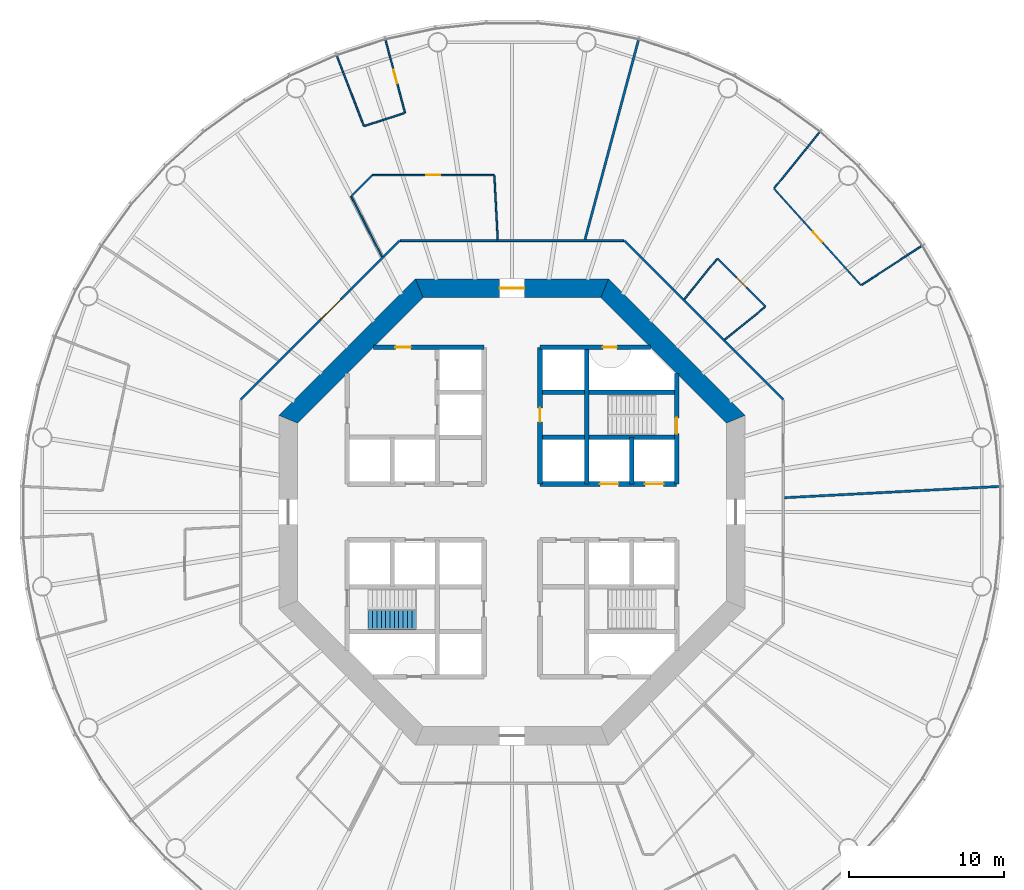
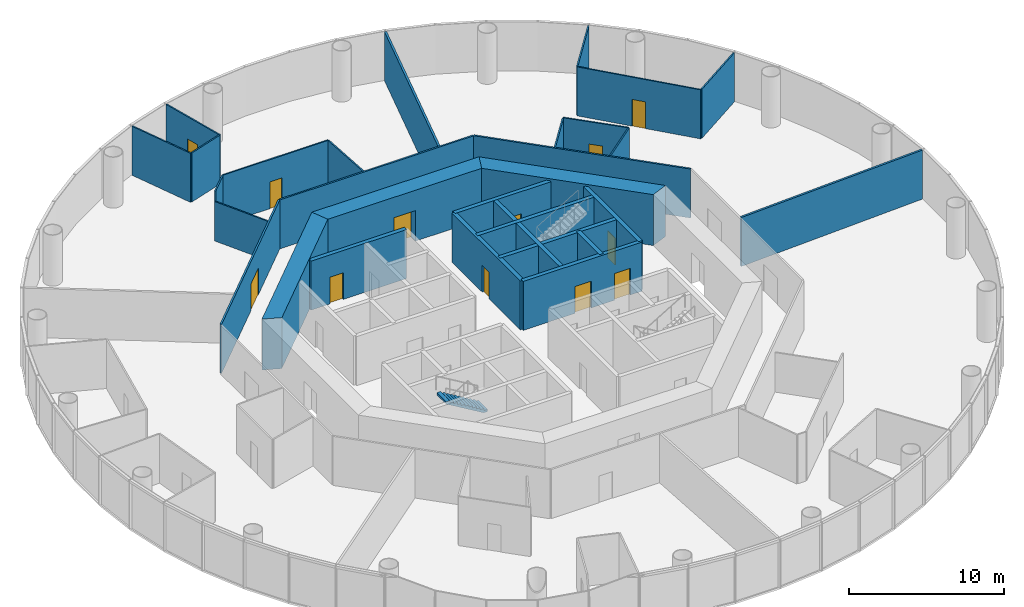
# One storey, part 5 of 13: 30 walls, 12 doors, 1 stair flight, 12 openings, 1 element without a shape of its own.
"""IFC4 building model written with IfcOpenShell, lengths in metres."""

from ifc_helpers import new_model, si_unit, direction, frame, frame_2d, origin, place, context, subcontext, project, spatial, polyline, rectangle, outline, extrude, material, layer, layer_set, type_object, element, fill, aggregate, save


model = new_model("IFC4")

# Units and contexts
model_context = context("Model", 3, precision=1e-05, world=origin(), true_north=direction((0.0, 1.0)))
body_context = subcontext(model_context, "Body", "Model", "MODEL_VIEW")
ifc_project = project(units=[si_unit("LENGTHUNIT", "METRE"), si_unit("AREAUNIT", "SQUARE_METRE"), si_unit("VOLUMEUNIT", "CUBIC_METRE"), si_unit("PLANEANGLEUNIT", "RADIAN"), si_unit("MASSUNIT", "GRAM", prefix="KILO")], contexts=[model_context])

# Site, building, storey
site_placement = place(None, origin())
site = spatial("IfcSite", under=ifc_project, at=site_placement, CompositionType="ELEMENT")
building_placement = place(site_placement, origin())
building = spatial("IfcBuilding", under=site, at=building_placement, Name="Entoto Ring Tower", CompositionType="ELEMENT")
storey_placement = place(building_placement, frame((0.0, 0.0, 100.0)))
storey = spatial("IfcBuildingStorey", under=building, at=storey_placement, Name="L22", CompositionType="ELEMENT", Elevation=100.0)

# Wall, opening, door
ifc_material_1 = material(Name="Concrete C40/50", Category="concrete")
ifc_layer_1 = layer(ifc_material_1, 0.300048828125)
ifc_layer_set_1 = layer_set([ifc_layer_1], Name="Concrete C40/50")
wall_type_1 = type_object("IfcWallType", Name="Core enclosure wall 300 mm reinforced concrete", PredefinedType="SOLIDWALL", material=ifc_layer_set_1)
wall_1_placement = place(storey_placement, frame((100.60009765625, 81.800048828125, 0.0), z_axis=(0.0, 0.0, 1.0), x_axis=(0.0, 1.0, 0.0)))
wall_1 = element("IfcWall", 1, at=wall_1_placement, inside=storey, type_object=wall_type_1, Name="wall-L22-002", PredefinedType="SOLIDWALL", context=body_context, shape_type="SweptSolid", body=[
    extrude(rectangle(XDim=7.115966796875, YDim=0.300048828125, at=frame_2d((3.55810546875, 0.0))), origin(), (0.0, 0.0, 1.0), 3.85009765625),
])
opening_1_placement = place(wall_1_placement, frame((3.25, 0.0, 0.0)))
opening_1 = element("IfcOpeningElement", 2, at=opening_1_placement, cuts=wall_1, Name="Opening K-55", PredefinedType="OPENING", context=body_context, shape_type="SweptSolid", body=[
    extrude(rectangle(XDim=1.0, YDim=2.10009765625, at=frame_2d((0.5, 1.050048828125))), frame((0.0, 0.16015625, 0.0), z_axis=(0.0, -1.0, 0.0), x_axis=(1.0, 0.0, 0.0)), (0.0, 0.0, 1.0), 0.320068359375),
])
ifc_material_2 = material(Name="Steel door leaf, fire rated", Category="steel")
ifc_layer_2 = layer(ifc_material_2, 0.050048828125)
ifc_layer_set_2 = layer_set([ifc_layer_2], Name="Steel door leaf, fire rated")
door_type_1 = type_object("IfcDoorType", Name="Fire door FD60 1000 x 2100 single leaf", OperationType="NOTDEFINED", PredefinedType="DOOR", material=ifc_layer_set_2)
door_1_placement = place(opening_1_placement, origin())
door_1 = element("IfcDoor", 3, at=door_1_placement, inside=storey, type_object=door_type_1, Name="Door K-55", OperationType="SINGLE_SWING_LEFT", OverallHeight=2.10009765625, OverallWidth=1.0, PredefinedType="DOOR", context=body_context, shape_type="SweptSolid", body=[
    extrude(rectangle(XDim=1.0, YDim=2.10009765625, at=frame_2d((0.5, 1.050048828125))), frame((0.0, 0.02490234375, 0.0), z_axis=(0.0, -1.0, 0.0), x_axis=(1.0, 0.0, 0.0)), (0.0, 0.0, 1.0), 0.050048828125),
])
fill(opening_1, door_1)

# Walls
wall_2_placement = place(storey_placement, frame((97.699951171875, 81.800048828125, 0.0), z_axis=(0.0, 0.0, 1.0), x_axis=(0.0, 1.0, 0.0)))
element("IfcWall", 4, at=wall_2_placement, inside=storey, type_object=wall_type_1, Name="wall-L22-004", PredefinedType="SOLIDWALL", context=body_context, shape_type="SweptSolid", body=[
    extrude(rectangle(XDim=3.0, YDim=0.300048828125, at=frame_2d((1.5, 0.0))), origin(), (0.0, 0.0, 1.0), 3.85009765625),
])
wall_3_placement = place(storey_placement, frame((94.800048828125, 81.800048828125, 0.0), z_axis=(0.0, 0.0, 1.0), x_axis=(0.0, 1.0, 0.0)))
element("IfcWall", 5, at=wall_3_placement, inside=storey, type_object=wall_type_1, Name="wall-L22-006", PredefinedType="SOLIDWALL", context=body_context, shape_type="SweptSolid", body=[
    extrude(rectangle(XDim=8.800048828125, YDim=0.300048828125, at=frame_2d((4.39990234375, 0.0))), origin(), (0.0, 0.0, 1.0), 3.85009765625),
])

# Wall, opening, door
wall_4_placement = place(storey_placement, frame((91.800048828125, 81.800048828125, 0.0), z_axis=(0.0, 0.0, 1.0), x_axis=(0.0, 1.0, 0.0)))
wall_4 = element("IfcWall", 6, at=wall_4_placement, inside=storey, type_object=wall_type_1, Name="wall-L22-008", PredefinedType="SOLIDWALL", context=body_context, shape_type="SweptSolid", body=[
    extrude(rectangle(XDim=8.800048828125, YDim=0.300048828125, at=frame_2d((4.39990234375, 0.0))), origin(), (0.0, 0.0, 1.0), 3.85009765625),
])
opening_2_placement = place(wall_4_placement, frame((4.0, 0.0, 0.0)))
opening_2 = element("IfcOpeningElement", 7, at=opening_2_placement, cuts=wall_4, Name="Opening K-11", PredefinedType="OPENING", context=body_context, shape_type="SweptSolid", body=[
    extrude(rectangle(XDim=0.89990234375, YDim=2.10009765625, at=frame_2d((0.449951171875, 1.050048828125))), frame((0.0, 0.16015625, 0.0), z_axis=(0.0, -1.0, 0.0), x_axis=(1.0, 0.0, 0.0)), (0.0, 0.0, 1.0), 0.320068359375),
])
ifc_material_3 = material(Name="Steel door leaf, fire rated", Category="steel")
ifc_layer_3 = layer(ifc_material_3, 0.050048828125)
ifc_layer_set_3 = layer_set([ifc_layer_3], Name="Steel door leaf, fire rated")
door_type_2 = type_object("IfcDoorType", Name="Core door 900 x 2100 single leaf", OperationType="NOTDEFINED", PredefinedType="DOOR", material=ifc_layer_set_3)
door_2_placement = place(opening_2_placement, origin())
door_2 = element("IfcDoor", 8, at=door_2_placement, inside=storey, type_object=door_type_2, Name="Door K-11", OperationType="SINGLE_SWING_RIGHT", OverallHeight=2.10009765625, OverallWidth=0.89990234375, PredefinedType="DOOR", context=body_context, shape_type="SweptSolid", body=[
    extrude(rectangle(XDim=0.89990234375, YDim=2.10009765625, at=frame_2d((0.449951171875, 1.050048828125))), frame((0.0, 0.02490234375, 0.0), z_axis=(0.0, -1.0, 0.0), x_axis=(1.0, 0.0, 0.0)), (0.0, 0.0, 1.0), 0.050048828125),
])
fill(opening_2, door_2)

# Wall, openings, doors
wall_5_placement = place(storey_placement, frame((91.800048828125, 81.800048828125, 0.0), z_axis=(0.0, 0.0, 1.0), x_axis=(1.0, 0.0, 0.0)))
wall_5 = element("IfcWall", 9, at=wall_5_placement, inside=storey, type_object=wall_type_1, Name="wall-L22-026", PredefinedType="SOLIDWALL", context=body_context, shape_type="SweptSolid", body=[
    extrude(rectangle(XDim=8.800048828125, YDim=0.300048828125, at=frame_2d((4.39990234375, 0.0))), origin(), (0.0, 0.0, 1.0), 3.85009765625),
])
opening_3_placement = place(wall_5_placement, frame((3.85009765625, 0.0, 0.0)))
opening_3 = element("IfcOpeningElement", 10, at=opening_3_placement, cuts=wall_5, Name="Opening LD", PredefinedType="OPENING", context=body_context, shape_type="SweptSolid", body=[
    extrude(rectangle(XDim=1.199951171875, YDim=2.10009765625, at=frame_2d((0.60009765625, 1.050048828125))), frame((0.0, 0.16015625, 0.0), z_axis=(0.0, -1.0, 0.0), x_axis=(1.0, 0.0, 0.0)), (0.0, 0.0, 1.0), 0.320068359375),
])
opening_4_placement = place(wall_5_placement, frame((6.75, 0.0, 0.0)))
opening_4 = element("IfcOpeningElement", 11, at=opening_4_placement, cuts=wall_5, Name="Opening LD", PredefinedType="OPENING", context=body_context, shape_type="SweptSolid", body=[
    extrude(rectangle(XDim=1.199951171875, YDim=2.10009765625, at=frame_2d((0.60009765625, 1.050048828125))), frame((0.0, 0.16015625, 0.0), z_axis=(0.0, -1.0, 0.0), x_axis=(1.0, 0.0, 0.0)), (0.0, 0.0, 1.0), 0.320068359375),
])
ifc_material_4 = material(Name="Steel and glass door leaf", Category="steel")
ifc_layer_4 = layer(ifc_material_4, 0.050048828125)
ifc_layer_set_4 = layer_set([ifc_layer_4], Name="Steel and glass door leaf")
door_type_3 = type_object("IfcDoorType", Name="Landing door 1200 x 2100 sliding", OperationType="DOUBLE_DOOR_SLIDING", PredefinedType="DOOR", material=ifc_layer_set_4)
door_3_placement = place(opening_3_placement, origin())
door_3 = element("IfcDoor", 12, at=door_3_placement, inside=storey, type_object=door_type_3, Name="Landing door LB1-LR", OperationType="SLIDING_TO_RIGHT", OverallHeight=2.10009765625, OverallWidth=1.199951171875, PredefinedType="DOOR", context=body_context, shape_type="SweptSolid", body=[
    extrude(rectangle(XDim=1.199951171875, YDim=2.10009765625, at=frame_2d((0.60009765625, 1.050048828125))), frame((0.0, 0.02490234375, 0.0), z_axis=(0.0, -1.0, 0.0), x_axis=(1.0, 0.0, 0.0)), (0.0, 0.0, 1.0), 0.050048828125),
])
fill(opening_3, door_3)
door_4_placement = place(opening_4_placement, origin())
door_4 = element("IfcDoor", 13, at=door_4_placement, inside=storey, type_object=door_type_3, Name="Landing door LB2-LR", OperationType="SLIDING_TO_RIGHT", OverallHeight=2.10009765625, OverallWidth=1.199951171875, PredefinedType="DOOR", context=body_context, shape_type="SweptSolid", body=[
    extrude(rectangle(XDim=1.199951171875, YDim=2.10009765625, at=frame_2d((0.60009765625, 1.050048828125))), frame((0.0, 0.02490234375, 0.0), z_axis=(0.0, -1.0, 0.0), x_axis=(1.0, 0.0, 0.0)), (0.0, 0.0, 1.0), 0.050048828125),
])
fill(opening_4, door_4)

# Walls
for number, where, z_axis, x_axis, name in (
    (14, (91.800048828125, 84.800048828125, 0.0), (0.0, 0.0, 1.0), (1.0, 0.0, 0.0), "wall-L22-028"),
    (15, (91.800048828125, 87.699951171875, 0.0), (0.0, 0.0, 1.0), (1.0, 0.0, 0.0), "wall-L22-030"),
):
    element("IfcWall", number, at=place(storey_placement, frame(where, z_axis=z_axis, x_axis=x_axis)), inside=storey, type_object=wall_type_1, Name=name, PredefinedType="SOLIDWALL", context=body_context, shape_type="SweptSolid", body=[
        extrude(rectangle(XDim=8.800048828125, YDim=0.300048828125, at=frame_2d((4.39990234375, 0.0))), origin(), (0.0, 0.0, 1.0), 3.85009765625),
    ])

# Wall, opening, door
wall_6_placement = place(storey_placement, frame((81.083984375, 90.60009765625, 0.0), z_axis=(0.0, 0.0, 1.0), x_axis=(1.0, 0.0, 0.0)))
wall_6 = element("IfcWall", 16, at=wall_6_placement, inside=storey, type_object=wall_type_1, Name="wall-L22-031", PredefinedType="SOLIDWALL", context=body_context, shape_type="SweptSolid", body=[
    extrude(rectangle(XDim=7.115966796875, YDim=0.300048828125, at=frame_2d((3.55810546875, 0.0))), origin(), (0.0, 0.0, 1.0), 3.85009765625),
])
opening_5_placement = place(wall_6_placement, frame((1.416015625, 0.0, 0.0)))
opening_5 = element("IfcOpeningElement", 17, at=opening_5_placement, cuts=wall_6, Name="Opening K-23", PredefinedType="OPENING", context=body_context, shape_type="SweptSolid", body=[
    extrude(rectangle(XDim=1.0, YDim=2.10009765625, at=frame_2d((0.5, 1.050048828125))), frame((0.0, 0.16015625, 0.0), z_axis=(0.0, -1.0, 0.0), x_axis=(1.0, 0.0, 0.0)), (0.0, 0.0, 1.0), 0.320068359375),
])
door_5_placement = place(opening_5_placement, frame((1.0, 0.0, 0.0), z_axis=(0.0, 0.0, 1.0), x_axis=(-1.0, 0.0, 0.0)))
door_5 = element("IfcDoor", 18, at=door_5_placement, inside=storey, type_object=door_type_1, Name="Door K-23", OperationType="SINGLE_SWING_RIGHT", OverallHeight=2.10009765625, OverallWidth=1.0, PredefinedType="DOOR", context=body_context, shape_type="SweptSolid", body=[
    extrude(rectangle(XDim=1.0, YDim=2.10009765625, at=frame_2d((0.5, 1.050048828125))), frame((0.0, 0.02490234375, 0.0), z_axis=(0.0, -1.0, 0.0), x_axis=(1.0, 0.0, 0.0)), (0.0, 0.0, 1.0), 0.050048828125),
])
fill(opening_5, door_5)

wall_7_placement = place(storey_placement, frame((91.800048828125, 90.60009765625, 0.0), z_axis=(0.0, 0.0, 1.0), x_axis=(1.0, 0.0, 0.0)))
wall_7 = element("IfcWall", 19, at=wall_7_placement, inside=storey, type_object=wall_type_1, Name="wall-L22-032", PredefinedType="SOLIDWALL", context=body_context, shape_type="SweptSolid", body=[
    extrude(rectangle(XDim=7.115966796875, YDim=0.300048828125, at=frame_2d((3.55810546875, 0.0))), origin(), (0.0, 0.0, 1.0), 3.85009765625),
])
opening_6_placement = place(wall_7_placement, frame((4.050048828125, 0.0, 0.0)))
opening_6 = element("IfcOpeningElement", 20, at=opening_6_placement, cuts=wall_7, Name="Opening K-62", PredefinedType="OPENING", context=body_context, shape_type="SweptSolid", body=[
    extrude(rectangle(XDim=0.89990234375, YDim=2.10009765625, at=frame_2d((0.449951171875, 1.050048828125))), frame((0.0, 0.16015625, 0.0), z_axis=(0.0, -1.0, 0.0), x_axis=(1.0, 0.0, 0.0)), (0.0, 0.0, 1.0), 0.320068359375),
])
ifc_material_5 = material(Name="Steel door leaf, fire rated", Category="steel")
ifc_layer_5 = layer(ifc_material_5, 0.050048828125)
ifc_layer_set_5 = layer_set([ifc_layer_5], Name="Steel door leaf, fire rated")
door_type_4 = type_object("IfcDoorType", Name="Riser door FD60 900 x 2100 single leaf", OperationType="NOTDEFINED", PredefinedType="DOOR", material=ifc_layer_set_5)
door_6_placement = place(opening_6_placement, frame((0.89990234375, 0.0, 0.0), z_axis=(0.0, 0.0, 1.0), x_axis=(-1.0, 0.0, 0.0)))
door_6 = element("IfcDoor", 21, at=door_6_placement, inside=storey, type_object=door_type_4, Name="Door K-62", OperationType="SINGLE_SWING_LEFT", OverallHeight=2.10009765625, OverallWidth=0.89990234375, PredefinedType="DOOR", context=body_context, shape_type="SweptSolid", body=[
    extrude(rectangle(XDim=0.89990234375, YDim=2.10009765625, at=frame_2d((0.449951171875, 1.050048828125))), frame((0.0, 0.02490234375, 0.0), z_axis=(0.0, -1.0, 0.0), x_axis=(1.0, 0.0, 0.0)), (0.0, 0.0, 1.0), 0.050048828125),
])
fill(opening_6, door_6)

# Wall
ifc_material_6 = material(Name="Concrete C60/75", Category="concrete")
ifc_layer_6 = layer(ifc_material_6, 1.199951171875)
ifc_layer_set_6 = layer_set([ifc_layer_6], Name="Concrete C60/75")
wall_type_2 = type_object("IfcWallType", Name="Core shear wall 1200 mm reinforced concrete C60/75", PredefinedType="SHEAR", material=ifc_layer_set_6)
wall_8_placement = place(storey_placement, frame((104.39990234375, 85.964599609375, 0.0), z_axis=(0.0, 0.0, 1.0), x_axis=(-0.707106781187, 0.707106781187, 0.0)))
element("IfcWall", 22, at=wall_8_placement, inside=storey, type_object=wall_type_2, Name="wall-L22-core-1", PredefinedType="SHEAR", context=body_context, shape_type="SweptSolid", body=[
    extrude(outline(polyline([(-0.24853515625, -0.60009765625), (12.177734375, -0.60009765625), (11.6806640625, 0.60009765625), (0.24853515625, 0.60009765625), (-0.24853515625, -0.60009765625)])), origin(), (0.0, 0.0, 1.0), 4.0),
])

# Wall, opening, door
wall_9_placement = place(storey_placement, frame((95.964599609375, 94.39990234375, 0.0), z_axis=(0.0, 0.0, 1.0), x_axis=(-1.0, 0.0, 0.0)))
wall_9 = element("IfcWall", 23, at=wall_9_placement, inside=storey, type_object=wall_type_2, Name="wall-L22-core-2", PredefinedType="SHEAR", context=body_context, shape_type="SweptSolid", body=[
    extrude(outline(polyline([(-0.24853515625, -0.60009765625), (12.177734375, -0.60009765625), (11.6806640625, 0.60009765625), (0.24853515625, 0.60009765625), (-0.24853515625, -0.60009765625)])), origin(), (0.0, 0.0, 1.0), 4.0),
])
opening_7_placement = place(wall_9_placement, frame((5.164794921875, 0.0, 0.0)))
opening_7 = element("IfcOpeningElement", 24, at=opening_7_placement, cuts=wall_9, Name="Opening K-02", PredefinedType="OPENING", context=body_context, shape_type="SweptSolid", body=[
    extrude(rectangle(XDim=1.60009765625, YDim=2.39990234375, at=frame_2d((0.800048828125, 1.199951171875))), frame((0.0, 0.60986328125, 0.0), z_axis=(0.0, -1.0, 0.0), x_axis=(1.0, 0.0, 0.0)), (0.0, 0.0, 1.0), 1.219970703125),
])
ifc_material_7 = material(Name="Steel door leaf, fire rated", Category="steel")
ifc_layer_7 = layer(ifc_material_7, 0.050048828125)
ifc_layer_set_7 = layer_set([ifc_layer_7], Name="Steel door leaf, fire rated")
door_type_5 = type_object("IfcDoorType", Name="Entrance door FD60 1600 x 2400 double leaf", OperationType="DOUBLE_DOOR_SINGLE_SWING", PredefinedType="DOOR", material=ifc_layer_set_7)
door_7_placement = place(opening_7_placement, origin())
door_7 = element("IfcDoor", 25, at=door_7_placement, inside=storey, type_object=door_type_5, Name="Entrance door K-02", OperationType="DOUBLE_DOOR_SINGLE_SWING", OverallHeight=2.39990234375, OverallWidth=1.60009765625, PredefinedType="DOOR", context=body_context, shape_type="SweptSolid", body=[
    extrude(rectangle(XDim=1.60009765625, YDim=2.39990234375, at=frame_2d((0.800048828125, 1.199951171875))), frame((0.0, 0.02490234375, 0.0), z_axis=(0.0, -1.0, 0.0), x_axis=(1.0, 0.0, 0.0)), (0.0, 0.0, 1.0), 0.050048828125),
])
fill(opening_7, door_7)

# Wall
wall_10_placement = place(storey_placement, frame((84.035400390625, 94.39990234375, 0.0), z_axis=(0.0, 0.0, 1.0), x_axis=(-0.707106781187, -0.707106781187, 0.0)))
element("IfcWall", 26, at=wall_10_placement, inside=storey, type_object=wall_type_2, Name="wall-L22-core-3", PredefinedType="SHEAR", context=body_context, shape_type="SweptSolid", body=[
    extrude(outline(polyline([(-0.24853515625, -0.60009765625), (12.177734375, -0.60009765625), (11.6806640625, 0.60009765625), (0.24853515625, 0.60009765625), (-0.24853515625, -0.60009765625)])), origin(), (0.0, 0.0, 1.0), 4.0),
])

# Wall, opening, door
ifc_material_8 = material(Name="Fire-resisting plasterboard on steel studs", Category="steel")
ifc_layer_8 = layer(ifc_material_8, 0.125)
ifc_layer_set_8 = layer_set([ifc_layer_8], Name="Fire-resisting plasterboard on steel studs")
wall_type_3 = type_object("IfcWallType", Name="Corridor wall 125 mm one-hour plasterboard on steel studs", PredefinedType="PARTITIONING", material=ifc_layer_set_8)
wall_11_placement = place(storey_placement, frame((72.53759765625, 87.233154296875, 0.0), z_axis=(0.0, 0.0, 1.0), x_axis=(0.707106781187, 0.707106781187, 0.0)))
wall_11 = element("IfcWall", 27, at=wall_11_placement, inside=storey, type_object=wall_type_3, Name="partition-L22-001", PredefinedType="PARTITIONING", context=body_context, shape_type="SweptSolid", body=[
    extrude(rectangle(XDim=14.46630859375, YDim=0.125, at=frame_2d((7.233154296875, 0.0))), origin(), (0.0, 0.0, 1.0), 3.85009765625),
])
opening_8_placement = place(wall_11_placement, frame((7.314208984375, 0.0, 0.0)))
opening_8 = element("IfcOpeningElement", 28, at=opening_8_placement, cuts=wall_11, Name="Opening A09-D07", PredefinedType="OPENING", context=body_context, shape_type="SweptSolid", body=[
    extrude(rectangle(XDim=1.800048828125, YDim=2.10009765625, at=frame_2d((0.89990234375, 1.050048828125))), frame((0.0, 0.072509765625, 0.0), z_axis=(0.0, -1.0, 0.0), x_axis=(1.0, 0.0, 0.0)), (0.0, 0.0, 1.0), 0.14501953125),
])
ifc_material_9 = material(Name="Fire-resisting timber door set", Category="wood")
door_type_6 = type_object("IfcDoorType", Name="Door 1800 x 2100 double leaf FD30S fire door", OperationType="DOUBLE_DOOR_SINGLE_SWING", PredefinedType="DOOR", material=ifc_material_9)
door_8_placement = place(opening_8_placement, origin())
door_8 = element("IfcDoor", 29, at=door_8_placement, inside=storey, type_object=door_type_6, Name="Door A09-D07", OperationType="DOUBLE_DOOR_SINGLE_SWING", OverallHeight=2.10009765625, OverallWidth=1.800048828125, PredefinedType="DOOR", context=body_context, shape_type="SweptSolid", body=[
    extrude(rectangle(XDim=1.800048828125, YDim=2.10009765625, at=frame_2d((0.89990234375, 1.050048828125))), frame((0.0, 0.02490234375, 0.0), z_axis=(0.0, -1.0, 0.0), x_axis=(1.0, 0.0, 0.0)), (0.0, 0.0, 1.0), 0.050048828125),
])
fill(opening_8, door_8)

# Walls
wall_12_placement = place(storey_placement, frame((107.46240234375, 87.233154296875, 0.0), z_axis=(0.0, 0.0, 1.0), x_axis=(-0.707106781187, 0.707106781187, 0.0)))
element("IfcWall", 30, at=wall_12_placement, inside=storey, type_object=wall_type_3, Name="partition-L22-004", PredefinedType="PARTITIONING", context=body_context, shape_type="SweptSolid", body=[
    extrude(rectangle(XDim=14.46630859375, YDim=0.125, at=frame_2d((7.233154296875, 0.0))), origin(), (0.0, 0.0, 1.0), 3.85009765625),
])
wall_13_placement = place(storey_placement, frame((82.810791015625, 97.46240234375, 0.0), z_axis=(0.0, 0.0, 1.0), x_axis=(1.0, 0.0, 0.0)))
element("IfcWall", 31, at=wall_13_placement, inside=storey, type_object=wall_type_3, Name="partition-L22-007", PredefinedType="PARTITIONING", context=body_context, shape_type="SweptSolid", body=[
    extrude(rectangle(XDim=14.37841796875, YDim=0.125, at=frame_2d((7.189208984375, 0.0))), origin(), (0.0, 0.0, 1.0), 3.85009765625),
])

# Wall, opening, door
ifc_material_10 = material(Name="Plasterboard on steel studs", Category="steel")
ifc_layer_9 = layer(ifc_material_10, 0.10009765625)
ifc_layer_set_9 = layer_set([ifc_layer_9], Name="Plasterboard on steel studs")
wall_type_4 = type_object("IfcWallType", Name="Partition 100 mm plasterboard on steel studs", PredefinedType="PARTITIONING", material=ifc_layer_set_9)
wall_14_placement = place(storey_placement, frame((112.459716796875, 94.58544921875, 0.0), z_axis=(0.0, 0.0, 1.0), x_axis=(-0.669132139193, 0.743143445305, 0.0)))
wall_14 = element("IfcWall", 32, at=wall_14_placement, inside=storey, type_object=wall_type_4, Name="partition-L22-015", PredefinedType="PARTITIONING", context=body_context, shape_type="SweptSolid", body=[
    extrude(rectangle(XDim=8.378662109375, YDim=0.10009765625, at=frame_2d((4.189453125, 0.0))), origin(), (0.0, 0.0, 1.0), 3.85009765625),
])
opening_9_placement = place(wall_14_placement, frame((3.7392578125, 0.0, 0.0)))
opening_9 = element("IfcOpeningElement", 33, at=opening_9_placement, cuts=wall_14, Name="Opening A09-D06", PredefinedType="OPENING", context=body_context, shape_type="SweptSolid", body=[
    extrude(rectangle(XDim=0.89990234375, YDim=2.10009765625, at=frame_2d((0.449951171875, 1.050048828125))), frame((0.0, 0.06005859375, 0.0), z_axis=(0.0, -1.0, 0.0), x_axis=(1.0, 0.0, 0.0)), (0.0, 0.0, 1.0), 0.1201171875),
])
ifc_material_11 = material(Name="Veneered timber door leaf in timber frame", Category="wood")
door_type_7 = type_object("IfcDoorType", Name="Door 900 x 2100 single leaf timber veneer", OperationType="NOTDEFINED", PredefinedType="DOOR", material=ifc_material_11)
door_9_placement = place(opening_9_placement, frame((0.89990234375, 0.0, 0.0), z_axis=(0.0, 0.0, 1.0), x_axis=(-1.0, 0.0, 0.0)))
door_9 = element("IfcDoor", 34, at=door_9_placement, inside=storey, type_object=door_type_7, Name="Door A09-D06", OperationType="SINGLE_SWING_RIGHT", OverallHeight=2.10009765625, OverallWidth=0.89990234375, PredefinedType="DOOR", context=body_context, shape_type="SweptSolid", body=[
    extrude(rectangle(XDim=0.89990234375, YDim=2.10009765625, at=frame_2d((0.449951171875, 1.050048828125))), frame((0.0, 0.02490234375, 0.0), z_axis=(0.0, -1.0, 0.0), x_axis=(1.0, 0.0, 0.0)), (0.0, 0.0, 1.0), 0.050048828125),
])
fill(opening_9, door_9)

wall_15_placement = place(storey_placement, frame((81.018798828125, 101.6826171875, 0.0), z_axis=(0.0, 0.0, 1.0), x_axis=(1.0, 0.0, 0.0)))
wall_15 = element("IfcWall", 35, at=wall_15_placement, inside=storey, type_object=wall_type_4, Name="partition-L22-017", PredefinedType="PARTITIONING", context=body_context, shape_type="SweptSolid", body=[
    extrude(rectangle(XDim=7.844970703125, YDim=0.10009765625, at=frame_2d((3.92236328125, 0.0))), origin(), (0.0, 0.0, 1.0), 3.85009765625),
])
opening_10_placement = place(wall_15_placement, frame((3.472412109375, 0.0, 0.0)))
opening_10 = element("IfcOpeningElement", 36, at=opening_10_placement, cuts=wall_15, Name="Opening A09-D08", PredefinedType="OPENING", context=body_context, shape_type="SweptSolid", body=[
    extrude(rectangle(XDim=0.89990234375, YDim=2.10009765625, at=frame_2d((0.449951171875, 1.050048828125))), frame((0.0, 0.06005859375, 0.0), z_axis=(0.0, -1.0, 0.0), x_axis=(1.0, 0.0, 0.0)), (0.0, 0.0, 1.0), 0.1201171875),
])
door_10_placement = place(opening_10_placement, frame((0.89990234375, 0.0, 0.0), z_axis=(0.0, 0.0, 1.0), x_axis=(-1.0, 0.0, 0.0)))
door_10 = element("IfcDoor", 37, at=door_10_placement, inside=storey, type_object=door_type_7, Name="Door A09-D08", OperationType="SINGLE_SWING_LEFT", OverallHeight=2.10009765625, OverallWidth=0.89990234375, PredefinedType="DOOR", context=body_context, shape_type="SweptSolid", body=[
    extrude(rectangle(XDim=0.89990234375, YDim=2.10009765625, at=frame_2d((0.449951171875, 1.050048828125))), frame((0.0, 0.02490234375, 0.0), z_axis=(0.0, -1.0, 0.0), x_axis=(1.0, 0.0, 0.0)), (0.0, 0.0, 1.0), 0.050048828125),
])
fill(opening_10, door_10)

wall_16_placement = place(storey_placement, frame((83.117919921875, 105.68408203125, 0.0), z_axis=(0.0, 0.0, 1.0), x_axis=(-0.258799830155, 0.965930974714, 0.0)))
wall_16 = element("IfcWall", 38, at=wall_16_placement, inside=storey, type_object=wall_type_4, Name="partition-L22-025", PredefinedType="PARTITIONING", context=body_context, shape_type="SweptSolid", body=[
    extrude(rectangle(XDim=4.849853515625, YDim=0.10009765625, at=frame_2d((2.4248046875, 0.0))), origin(), (0.0, 0.0, 1.0), 3.85009765625),
])
opening_11_placement = place(wall_16_placement, frame((1.97509765625, 0.0, 0.0)))
opening_11 = element("IfcOpeningElement", 39, at=opening_11_placement, cuts=wall_16, Name="Opening A09-D09", PredefinedType="OPENING", context=body_context, shape_type="SweptSolid", body=[
    extrude(rectangle(XDim=0.89990234375, YDim=2.10009765625, at=frame_2d((0.449951171875, 1.050048828125))), frame((0.0, 0.06005859375, 0.0), z_axis=(0.0, -1.0, 0.0), x_axis=(1.0, 0.0, 0.0)), (0.0, 0.0, 1.0), 0.1201171875),
])
door_11_placement = place(opening_11_placement, origin())
door_11 = element("IfcDoor", 40, at=door_11_placement, inside=storey, type_object=door_type_7, Name="Door A09-D09", OperationType="SINGLE_SWING_RIGHT", OverallHeight=2.10009765625, OverallWidth=0.89990234375, PredefinedType="DOOR", context=body_context, shape_type="SweptSolid", body=[
    extrude(rectangle(XDim=0.89990234375, YDim=2.10009765625, at=frame_2d((0.449951171875, 1.050048828125))), frame((0.0, 0.02490234375, 0.0), z_axis=(0.0, -1.0, 0.0), x_axis=(1.0, 0.0, 0.0)), (0.0, 0.0, 1.0), 0.050048828125),
])
fill(opening_11, door_11)

# Walls
wall_17_placement = place(storey_placement, frame((80.470947265625, 104.823974609375, 0.0), z_axis=(0.0, 0.0, 1.0), x_axis=(-0.35836170217, 0.933582824616, 0.0)))
element("IfcWall", 41, at=wall_17_placement, inside=storey, type_object=wall_type_4, Name="partition-L22-026", PredefinedType="PARTITIONING", context=body_context, shape_type="SweptSolid", body=[
    extrude(rectangle(XDim=4.849853515625, YDim=0.10009765625, at=frame_2d((2.4248046875, 0.0))), origin(), (0.0, 0.0, 1.0), 3.85009765625),
])
for number, where, z_axis, x_axis, name in (
    (42, (112.5009765625, 94.6123046875, 0.0), (0.0, 0.0, 1.0), (0.838669766631, 0.544640268929, 0.0), "partition-L22-029"),
    (43, (106.88427734375, 100.850341796875, 0.0), (0.0, 0.0, 1.0), (0.629313986942, 0.777151147358, 0.0), "partition-L22-031"),
):
    element("IfcWall", number, at=place(storey_placement, frame(where, z_axis=z_axis, x_axis=x_axis)), inside=storey, type_object=wall_type_4, Name=name, PredefinedType="PARTITIONING", context=body_context, shape_type="SweptSolid", body=[
        extrude(rectangle(XDim=4.61083984375, YDim=0.10009765625, at=frame_2d((2.305419921875, 0.0))), origin(), (0.0, 0.0, 1.0), 3.85009765625),
    ])

# Wall, opening, door
wall_18_placement = place(storey_placement, frame((106.318115234375, 93.214111328125, 0.0), z_axis=(0.0, 0.0, 1.0), x_axis=(-0.707106781187, 0.707106781187, 0.0)))
wall_18 = element("IfcWall", 44, at=wall_18_placement, inside=storey, type_object=wall_type_4, Name="partition-L22-039", PredefinedType="PARTITIONING", context=body_context, shape_type="SweptSolid", body=[
    extrude(rectangle(XDim=4.3896484375, YDim=0.10009765625, at=frame_2d((2.19482421875, 0.0))), origin(), (0.0, 0.0, 1.0), 3.85009765625),
])
opening_12_placement = place(wall_18_placement, frame((1.744873046875, 0.0, 0.0)))
opening_12 = element("IfcOpeningElement", 45, at=opening_12_placement, cuts=wall_18, Name="Opening A09-D05", PredefinedType="OPENING", context=body_context, shape_type="SweptSolid", body=[
    extrude(rectangle(XDim=0.89990234375, YDim=2.10009765625, at=frame_2d((0.449951171875, 1.050048828125))), frame((0.0, 0.06005859375, 0.0), z_axis=(0.0, -1.0, 0.0), x_axis=(1.0, 0.0, 0.0)), (0.0, 0.0, 1.0), 0.1201171875),
])
door_12_placement = place(opening_12_placement, origin())
door_12 = element("IfcDoor", 46, at=door_12_placement, inside=storey, type_object=door_type_7, Name="Door A09-D05", OperationType="SINGLE_SWING_RIGHT", OverallHeight=2.10009765625, OverallWidth=0.89990234375, PredefinedType="DOOR", context=body_context, shape_type="SweptSolid", body=[
    extrude(rectangle(XDim=0.89990234375, YDim=2.10009765625, at=frame_2d((0.449951171875, 1.050048828125))), frame((0.0, 0.02490234375, 0.0), z_axis=(0.0, -1.0, 0.0), x_axis=(1.0, 0.0, 0.0)), (0.0, 0.0, 1.0), 0.050048828125),
])
fill(opening_12, door_12)

# Walls
wall_19_placement = place(storey_placement, frame((89.081298828125, 97.527587890625, 0.0), z_axis=(0.0, 0.0, 1.0), x_axis=(-0.052325034159, 0.998630107097, 0.0)))
element("IfcWall", 47, at=wall_19_placement, inside=storey, type_object=wall_type_4, Name="partition-L22-040", PredefinedType="PARTITIONING", context=body_context, shape_type="SweptSolid", body=[
    extrude(rectangle(XDim=4.110595703125, YDim=0.10009765625, at=frame_2d((2.05517578125, 0.0))), origin(), (0.0, 0.0, 1.0), 3.85009765625),
])
for number, where, z_axis, x_axis, name in (
    (48, (101.093017578125, 93.698486328125, 0.0), (0.0, 0.0, 1.0), (0.629291439801, 0.777169404823, 0.0), "partition-L22-043"),
    (49, (103.698486328125, 91.093017578125, 0.0), (0.0, 0.0, 1.0), (0.777169404823, 0.629291439801, 0.0), "partition-L22-044"),
):
    element("IfcWall", number, at=place(storey_placement, frame(where, z_axis=z_axis, x_axis=x_axis)), inside=storey, type_object=wall_type_4, Name=name, PredefinedType="PARTITIONING", context=body_context, shape_type="SweptSolid", body=[
        extrude(rectangle(XDim=3.315185546875, YDim=0.10009765625, at=frame_2d((1.65771484375, 0.0))), origin(), (0.0, 0.0, 1.0), 3.85009765625),
    ])
wall_20_placement = place(storey_placement, frame((80.5185546875, 104.83935546875, 0.0), z_axis=(0.0, 0.0, 1.0), x_axis=(0.951066826239, 0.30898526183, 0.0)))
element("IfcWall", 50, at=wall_20_placement, inside=storey, type_object=wall_type_4, Name="partition-L22-046", PredefinedType="PARTITIONING", context=body_context, shape_type="SweptSolid", body=[
    extrude(rectangle(XDim=2.683349609375, YDim=0.10009765625, at=frame_2d((1.341796875, 0.0))), origin(), (0.0, 0.0, 1.0), 3.85009765625),
])
wall_21_placement = place(storey_placement, frame((79.683349609375, 100.346923828125, 0.0), z_axis=(0.0, 0.0, 1.0), x_axis=(0.707040921104, 0.707172635135, 0.0)))
element("IfcWall", 51, at=wall_21_placement, inside=storey, type_object=wall_type_4, Name="partition-L22-047", PredefinedType="PARTITIONING", context=body_context, shape_type="SweptSolid", body=[
    extrude(rectangle(XDim=1.853515625, YDim=0.10009765625, at=frame_2d((0.9267578125, 0.0))), origin(), (0.0, 0.0, 1.0), 3.85009765625),
])
ifc_material_12 = material(Name="Plasterboard on steel studs", Category="steel")
ifc_layer_10 = layer(ifc_material_12, 0.10009765625)
ifc_layer_set_10 = layer_set([ifc_layer_10], Name="Plasterboard on steel studs")
wall_type_5 = type_object("IfcWallType", Name="Partition 100 mm plasterboard on steel studs, 3097 mm high", PredefinedType="PARTITIONING", material=ifc_layer_set_10)
wall_22_placement = place(storey_placement, frame((81.627197265625, 96.432861328125, 0.0), z_axis=(0.0, 0.0, 1.0), x_axis=(-0.453994637558, 0.891004415852, 0.0)))
element("IfcWall", 52, at=wall_22_placement, inside=storey, type_object=wall_type_5, Name="partition-L22-036", PredefinedType="PARTITIONING", context=body_context, shape_type="SweptSolid", body=[
    extrude(rectangle(XDim=4.355224609375, YDim=0.10009765625, at=frame_2d((2.177734375, 0.0))), origin(), (0.0, 0.0, 1.0), 3.096923828125),
])
ifc_material_13 = material(Name="Fire-resisting acoustic plasterboard on steel studs", Category="steel")
ifc_layer_11 = layer(ifc_material_13, 0.14990234375)
ifc_layer_set_11 = layer_set([ifc_layer_11], Name="Fire-resisting acoustic plasterboard on steel studs")
wall_type_6 = type_object("IfcWallType", Name="Party wall 150 mm one-hour acoustic plasterboard on steel studs", PredefinedType="PARTITIONING", material=ifc_layer_set_11)
wall_23_placement = place(storey_placement, frame((107.52880859375, 80.918701171875, 0.0), z_axis=(0.0, 0.0, 1.0), x_axis=(0.998629508563, 0.052336456006, 0.0)))
element("IfcWall", 53, at=wall_23_placement, inside=storey, type_object=wall_type_6, Name="partition-L22-010", PredefinedType="PARTITIONING", context=body_context, shape_type="SweptSolid", body=[
    extrude(rectangle(XDim=13.88720703125, YDim=0.14990234375, at=frame_2d((6.943603515625, 0.0))), origin(), (0.0, 0.0, 1.0), 3.85009765625),
])
wall_24_placement = place(storey_placement, frame((94.700927734375, 97.544189453125, 0.0), z_axis=(0.0, 0.0, 1.0), x_axis=(0.258817275751, 0.965926300384, 0.0)))
element("IfcWall", 54, at=wall_24_placement, inside=storey, type_object=wall_type_6, Name="partition-L22-013", PredefinedType="PARTITIONING", context=body_context, shape_type="SweptSolid", body=[
    extrude(rectangle(XDim=13.27685546875, YDim=0.14990234375, at=frame_2d((6.638427734375, 0.0))), origin(), (0.0, 0.0, 1.0), 3.85009765625),
])

# Stair, stair flight
ifc_material_14 = material(Name="Concrete C40/50", Category="concrete")
stair_type = type_object("IfcStairType", Name="Exit stair 1200 mm dog-leg reinforced concrete", PredefinedType="HALF_TURN_STAIR", material=ifc_material_14)
stair_placement = place(storey_placement, origin())
stair = element("IfcStair", 55, at=stair_placement, inside=storey, type_object=stair_type, Name="Exit stair 2", PredefinedType="HALF_TURN_STAIR")
ifc_material_15 = material(Name="Concrete C40/50", Category="concrete")
stair_flight_type = type_object("IfcStairFlightType", Name="Stair flight 1200 mm reinforced concrete", PredefinedType="STRAIGHT", material=ifc_material_15)
stair_flight_placement = place(storey_placement, frame((83.830078125, 73.050048828125, 2.0), z_axis=(0.0, 0.0, 1.0), x_axis=(-1.0, 0.0, 0.0)))
stair_flight = element("IfcStairFlight", 56, at=stair_flight_placement, type_object=stair_flight_type, Name="ST2 flight 2", NumberOfRisers=12, NumberOfTreads=11, PredefinedType="STRAIGHT", RiserHeight=0.166666667, TreadLength=0.28, context=body_context, shape_type="SweptSolid", body=[
    extrude(outline(polyline([(0.0, 0.0), (0.0, 0.166748046875), (0.280029296875, 0.166748046875), (0.280029296875, 0.333251953125), (0.56005859375, 0.333251953125), (0.56005859375, 0.5), (0.840087890625, 0.5), (0.840087890625, 0.666748046875), (1.1201171875, 0.666748046875), (1.1201171875, 0.833251953125), (1.39990234375, 0.833251953125), (1.39990234375, 1.0), (1.679931640625, 1.0), (1.679931640625, 1.166748046875), (1.9599609375, 1.166748046875), (1.9599609375, 1.333251953125), (2.239990234375, 1.333251953125), (2.239990234375, 1.5), (2.52001953125, 1.5), (2.52001953125, 1.666748046875), (2.800048828125, 1.666748046875), (2.800048828125, 1.833251953125), (3.080078125, 1.833251953125), (3.080078125, 2.0), (3.080078125, 1.658935546875), (0.29296875, 0.0), (0.0, 0.0)])), frame((0.0, 0.60009765625, 0.0), z_axis=(0.0, -1.0, 0.0), x_axis=(1.0, 0.0, 0.0)), (0.0, 0.0, 1.0), 1.199951171875),
])
aggregate(stair, [stair_flight])

save(model, "model.ifc")
